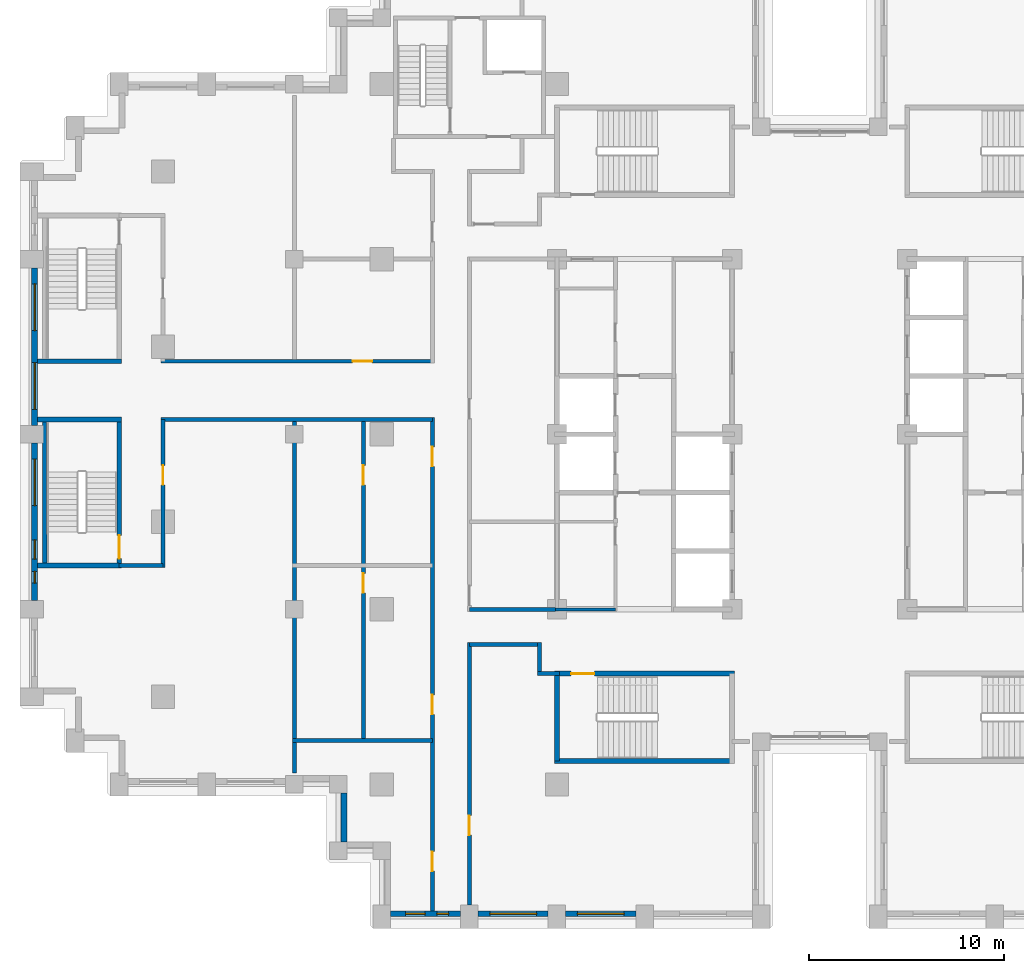
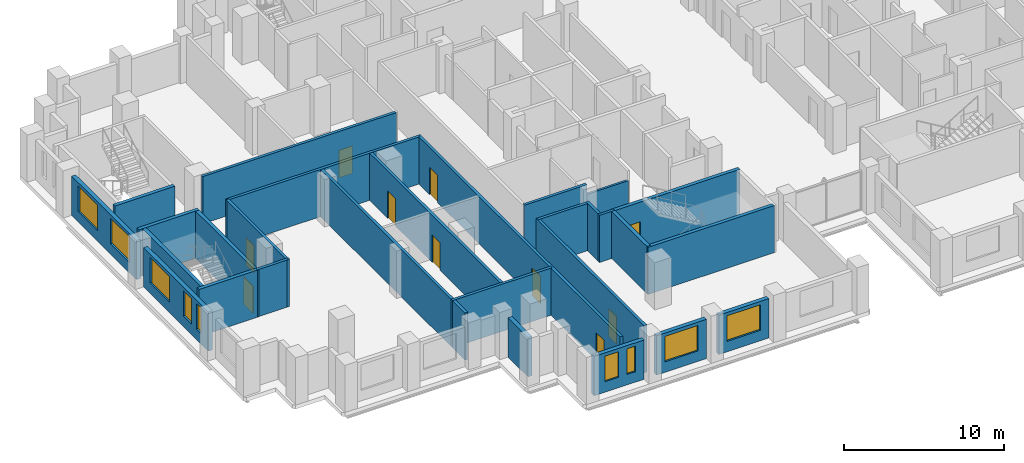
# One storey, part 6 of 16: 28 walls, 10 doors, 9 windows, 19 openings.
"""IFC4 building model written with IfcOpenShell, lengths in metres."""

from ifc_helpers import new_model, si_unit, direction, frame, frame_2d, origin, place, context, subcontext, project, spatial, rectangle, extrude, material, layer, layer_set, type_object, element, fill, save


model = new_model("IFC4")

# Units and contexts
model_context = context("Model", 3, precision=1e-05, world=origin(), true_north=direction((0.0, 1.0)))
body_context = subcontext(model_context, "Body", "Model", "MODEL_VIEW")
ifc_project = project(units=[si_unit("LENGTHUNIT", "METRE"), si_unit("AREAUNIT", "SQUARE_METRE"), si_unit("VOLUMEUNIT", "CUBIC_METRE"), si_unit("PLANEANGLEUNIT", "RADIAN"), si_unit("MASSUNIT", "GRAM", prefix="KILO")], contexts=[model_context])

# Site, building, storey
site_placement = place(None, origin())
site = spatial("IfcSite", under=ifc_project, at=site_placement, CompositionType="ELEMENT")
building_placement = place(site_placement, origin())
building = spatial("IfcBuilding", under=site, at=building_placement, Name="Corbelhall Arena Tower", CompositionType="ELEMENT")
storey_placement = place(building_placement, frame((0.0, 0.0, 116.0)))
storey = spatial("IfcBuildingStorey", under=building, at=storey_placement, Name="L21", CompositionType="ELEMENT", Elevation=116.0)

# Wall, openings, windows
ifc_material_1 = material(Name="Precast concrete C40/50 with granite facing", Category="masonry")
ifc_layer_1 = layer(ifc_material_1, 0.300048828125)
ifc_layer_set_1 = layer_set([ifc_layer_1], Name="EV-IW1 Infill panel 300")
wall_type_1 = type_object("IfcWallType", Name="EV-IW1 Infill panel 300", PredefinedType="SOLIDWALL", material=ifc_layer_set_1)
wall_1_placement = place(storey_placement, frame((-40.35009765625, 8.550048828125, 0.0), z_axis=(0.0, 0.0, 1.0), x_axis=(0.0, -1.0, 0.0)))
wall_1 = element("IfcWall", 1, at=wall_1_placement, inside=storey, type_object=wall_type_1, Name="Infill panel IW1", PredefinedType="SOLIDWALL", context=body_context, shape_type="SweptSolid", body=[
    extrude(rectangle(XDim=8.10009765625, YDim=0.300048828125, at=frame_2d((4.050048828125, 0.0))), origin(), (0.0, 0.0, 1.0), 2.99951171875),
])
opening_1_placement = place(wall_1_placement, frame((0.824951171875, 0.0, 0.800048828125)))
opening_1 = element("IfcOpeningElement", 2, at=opening_1_placement, cuts=wall_1, Name="Opening WN1", PredefinedType="OPENING", context=body_context, shape_type="SweptSolid", body=[
    extrude(rectangle(XDim=2.39990234375, YDim=1.949951171875, at=frame_2d((1.199951171875, 0.97509765625))), frame((0.0, 0.14990234375, 0.0), z_axis=(0.0, -1.0, 0.0), x_axis=(1.0, 0.0, 0.0)), (0.0, 0.0, 1.0), 0.300048828125),
])
opening_2_placement = place(wall_1_placement, frame((4.875, 0.0, 0.800048828125)))
opening_2 = element("IfcOpeningElement", 3, at=opening_2_placement, cuts=wall_1, Name="Opening WN1", PredefinedType="OPENING", context=body_context, shape_type="SweptSolid", body=[
    extrude(rectangle(XDim=2.39990234375, YDim=1.949951171875, at=frame_2d((1.199951171875, 0.97509765625))), frame((0.0, 0.14990234375, 0.0), z_axis=(0.0, -1.0, 0.0), x_axis=(1.0, 0.0, 0.0)), (0.0, 0.0, 1.0), 0.300048828125),
])
ifc_material_2 = material(Name="Aluminium black anodised", Category="aluminium")
window_type_1 = type_object("IfcWindowType", Name="EV-WN1 Office window", PartitioningType="SINGLE_PANEL", PredefinedType="WINDOW", material=ifc_material_2)
window_1_placement = place(opening_1_placement, origin())
window_1 = element("IfcWindow", 4, at=window_1_placement, inside=storey, type_object=window_type_1, Name="Window WN1", OverallHeight=1.949951171875, OverallWidth=2.39990234375, PartitioningType="SINGLE_PANEL", PredefinedType="WINDOW", context=body_context, shape_type="SweptSolid", body=[
    extrude(rectangle(XDim=2.39990234375, YDim=1.949951171875, at=frame_2d((1.199951171875, 0.97509765625))), frame((0.0, 0.030029296875, 0.0), z_axis=(0.0, -1.0, 0.0), x_axis=(1.0, 0.0, 0.0)), (0.0, 0.0, 1.0), 0.06005859375),
])
fill(opening_1, window_1)
window_2_placement = place(opening_2_placement, origin())
window_2 = element("IfcWindow", 5, at=window_2_placement, inside=storey, type_object=window_type_1, Name="Window WN1", OverallHeight=1.949951171875, OverallWidth=2.39990234375, PartitioningType="SINGLE_PANEL", PredefinedType="WINDOW", context=body_context, shape_type="SweptSolid", body=[
    extrude(rectangle(XDim=2.39990234375, YDim=1.949951171875, at=frame_2d((1.199951171875, 0.97509765625))), frame((0.0, 0.030029296875, 0.0), z_axis=(0.0, -1.0, 0.0), x_axis=(1.0, 0.0, 0.0)), (0.0, 0.0, 1.0), 0.06005859375),
])
fill(opening_2, window_2)

wall_2_placement = place(storey_placement, frame((-40.35009765625, -0.449951171875, 0.0), z_axis=(0.0, 0.0, 1.0), x_axis=(0.0, -1.0, 0.0)))
wall_2 = element("IfcWall", 6, at=wall_2_placement, inside=storey, type_object=wall_type_1, Name="Infill panel IW1", PredefinedType="SOLIDWALL", context=body_context, shape_type="SweptSolid", body=[
    extrude(rectangle(XDim=8.10009765625, YDim=0.300048828125, at=frame_2d((4.050048828125, 0.0))), origin(), (0.0, 0.0, 1.0), 2.99951171875),
])
opening_3_placement = place(wall_2_placement, frame((0.824951171875, 0.0, 0.800048828125)))
opening_3 = element("IfcOpeningElement", 7, at=opening_3_placement, cuts=wall_2, Name="Opening WN1", PredefinedType="OPENING", context=body_context, shape_type="SweptSolid", body=[
    extrude(rectangle(XDim=2.39990234375, YDim=1.949951171875, at=frame_2d((1.199951171875, 0.97509765625))), frame((0.0, 0.14990234375, 0.0), z_axis=(0.0, -1.0, 0.0), x_axis=(1.0, 0.0, 0.0)), (0.0, 0.0, 1.0), 0.300048828125),
])
opening_4_placement = place(wall_2_placement, frame((4.97509765625, 0.0, 0.800048828125)))
opening_4 = element("IfcOpeningElement", 8, at=opening_4_placement, cuts=wall_2, Name="Opening WN6", PredefinedType="OPENING", context=body_context, shape_type="SweptSolid", body=[
    extrude(rectangle(XDim=1.0, YDim=1.949951171875, at=frame_2d((0.5, 0.97509765625))), frame((0.0, 0.14990234375, 0.0), z_axis=(0.0, -1.0, 0.0), x_axis=(1.0, 0.0, 0.0)), (0.0, 0.0, 1.0), 0.300048828125),
])
opening_5_placement = place(wall_2_placement, frame((6.60009765625, 0.0, 0.800048828125)))
opening_5 = element("IfcOpeningElement", 9, at=opening_5_placement, cuts=wall_2, Name="Opening WN5", PredefinedType="OPENING", context=body_context, shape_type="SweptSolid", body=[
    extrude(rectangle(XDim=0.60009765625, YDim=1.949951171875, at=frame_2d((0.300048828125, 0.97509765625))), frame((0.0, 0.14990234375, 0.0), z_axis=(0.0, -1.0, 0.0), x_axis=(1.0, 0.0, 0.0)), (0.0, 0.0, 1.0), 0.300048828125),
])
window_3_placement = place(opening_3_placement, origin())
window_3 = element("IfcWindow", 10, at=window_3_placement, inside=storey, type_object=window_type_1, Name="Window WN1", OverallHeight=1.949951171875, OverallWidth=2.39990234375, PartitioningType="SINGLE_PANEL", PredefinedType="WINDOW", context=body_context, shape_type="SweptSolid", body=[
    extrude(rectangle(XDim=2.39990234375, YDim=1.949951171875, at=frame_2d((1.199951171875, 0.97509765625))), frame((0.0, 0.030029296875, 0.0), z_axis=(0.0, -1.0, 0.0), x_axis=(1.0, 0.0, 0.0)), (0.0, 0.0, 1.0), 0.06005859375),
])
fill(opening_3, window_3)
window_type_2 = type_object("IfcWindowType", Name="EV-WN5 Office window 600", PartitioningType="SINGLE_PANEL", PredefinedType="WINDOW", material=ifc_material_2)
window_4_placement = place(opening_5_placement, origin())
window_4 = element("IfcWindow", 11, at=window_4_placement, inside=storey, type_object=window_type_2, Name="Window WN5", OverallHeight=1.949951171875, OverallWidth=0.60009765625, PartitioningType="SINGLE_PANEL", PredefinedType="WINDOW", context=body_context, shape_type="SweptSolid", body=[
    extrude(rectangle(XDim=0.60009765625, YDim=1.949951171875, at=frame_2d((0.300048828125, 0.97509765625))), frame((0.0, 0.030029296875, 0.0), z_axis=(0.0, -1.0, 0.0), x_axis=(1.0, 0.0, 0.0)), (0.0, 0.0, 1.0), 0.06005859375),
])
fill(opening_5, window_4)
window_type_3 = type_object("IfcWindowType", Name="EV-WN6 Office window 1000", PartitioningType="SINGLE_PANEL", PredefinedType="WINDOW", material=ifc_material_2)
window_5_placement = place(opening_4_placement, origin())
window_5 = element("IfcWindow", 12, at=window_5_placement, inside=storey, type_object=window_type_3, Name="Window WN6", OverallHeight=1.949951171875, OverallWidth=1.0, PartitioningType="SINGLE_PANEL", PredefinedType="WINDOW", context=body_context, shape_type="SweptSolid", body=[
    extrude(rectangle(XDim=1.0, YDim=1.949951171875, at=frame_2d((0.5, 0.97509765625))), frame((0.0, 0.030029296875, 0.0), z_axis=(0.0, -1.0, 0.0), x_axis=(1.0, 0.0, 0.0)), (0.0, 0.0, 1.0), 0.06005859375),
])
fill(opening_4, window_5)

# Wall
wall_3_placement = place(storey_placement, frame((-24.449951171875, -18.449951171875, 0.0), z_axis=(0.0, 0.0, 1.0), x_axis=(0.0, -1.0, 0.0)))
element("IfcWall", 13, at=wall_3_placement, inside=storey, type_object=wall_type_1, Name="Infill panel IW1", PredefinedType="SOLIDWALL", context=body_context, shape_type="SweptSolid", body=[
    extrude(rectangle(XDim=2.5, YDim=0.300048828125, at=frame_2d((1.25, 0.0))), origin(), (0.0, 0.0, 1.0), 2.99951171875),
])

# Wall, openings, windows
wall_4_placement = place(storey_placement, frame((-22.050048828125, -24.64990234375, 0.0), z_axis=(0.0, 0.0, 1.0), x_axis=(1.0, 0.0, 0.0)))
wall_4 = element("IfcWall", 14, at=wall_4_placement, inside=storey, type_object=wall_type_1, Name="Infill panel IW1", PredefinedType="SOLIDWALL", context=body_context, shape_type="SweptSolid", body=[
    extrude(rectangle(XDim=3.60009765625, YDim=0.300048828125, at=frame_2d((1.800048828125, 0.0))), origin(), (0.0, 0.0, 1.0), 2.99951171875),
])
opening_6_placement = place(wall_4_placement, frame((0.77490234375, 0.0, 0.800048828125)))
opening_6 = element("IfcOpeningElement", 15, at=opening_6_placement, cuts=wall_4, Name="Opening WN6", PredefinedType="OPENING", context=body_context, shape_type="SweptSolid", body=[
    extrude(rectangle(XDim=1.0, YDim=1.949951171875, at=frame_2d((0.5, 0.97509765625))), frame((0.0, 0.14990234375, 0.0), z_axis=(0.0, -1.0, 0.0), x_axis=(1.0, 0.0, 0.0)), (0.0, 0.0, 1.0), 0.300048828125),
])
opening_7_placement = place(wall_4_placement, frame((2.375, 0.0, 0.800048828125)))
opening_7 = element("IfcOpeningElement", 16, at=opening_7_placement, cuts=wall_4, Name="Opening WN5", PredefinedType="OPENING", context=body_context, shape_type="SweptSolid", body=[
    extrude(rectangle(XDim=0.60009765625, YDim=1.949951171875, at=frame_2d((0.300048828125, 0.97509765625))), frame((0.0, 0.14990234375, 0.0), z_axis=(0.0, -1.0, 0.0), x_axis=(1.0, 0.0, 0.0)), (0.0, 0.0, 1.0), 0.300048828125),
])
window_6_placement = place(opening_7_placement, origin())
window_6 = element("IfcWindow", 17, at=window_6_placement, inside=storey, type_object=window_type_2, Name="Window WN5", OverallHeight=1.949951171875, OverallWidth=0.60009765625, PartitioningType="SINGLE_PANEL", PredefinedType="WINDOW", context=body_context, shape_type="SweptSolid", body=[
    extrude(rectangle(XDim=0.60009765625, YDim=1.949951171875, at=frame_2d((0.300048828125, 0.97509765625))), frame((0.0, 0.030029296875, 0.0), z_axis=(0.0, -1.0, 0.0), x_axis=(1.0, 0.0, 0.0)), (0.0, 0.0, 1.0), 0.06005859375),
])
fill(opening_7, window_6)
window_7_placement = place(opening_6_placement, origin())
window_7 = element("IfcWindow", 18, at=window_7_placement, inside=storey, type_object=window_type_3, Name="Window WN6", OverallHeight=1.949951171875, OverallWidth=1.0, PartitioningType="SINGLE_PANEL", PredefinedType="WINDOW", context=body_context, shape_type="SweptSolid", body=[
    extrude(rectangle(XDim=1.0, YDim=1.949951171875, at=frame_2d((0.5, 0.97509765625))), frame((0.0, 0.030029296875, 0.0), z_axis=(0.0, -1.0, 0.0), x_axis=(1.0, 0.0, 0.0)), (0.0, 0.0, 1.0), 0.06005859375),
])
fill(opening_6, window_7)

# Wall, opening, window
wall_5_placement = place(storey_placement, frame((-17.550048828125, -24.64990234375, 0.0), z_axis=(0.0, 0.0, 1.0), x_axis=(1.0, 0.0, 0.0)))
wall_5 = element("IfcWall", 19, at=wall_5_placement, inside=storey, type_object=wall_type_1, Name="Infill panel IW1", PredefinedType="SOLIDWALL", context=body_context, shape_type="SweptSolid", body=[
    extrude(rectangle(XDim=3.60009765625, YDim=0.300048828125, at=frame_2d((1.800048828125, 0.0))), origin(), (0.0, 0.0, 1.0), 2.99951171875),
])
opening_8_placement = place(wall_5_placement, frame((0.60009765625, 0.0, 0.800048828125)))
opening_8 = element("IfcOpeningElement", 20, at=opening_8_placement, cuts=wall_5, Name="Opening WN1", PredefinedType="OPENING", context=body_context, shape_type="SweptSolid", body=[
    extrude(rectangle(XDim=2.39990234375, YDim=1.949951171875, at=frame_2d((1.199951171875, 0.97509765625))), frame((0.0, 0.14990234375, 0.0), z_axis=(0.0, -1.0, 0.0), x_axis=(1.0, 0.0, 0.0)), (0.0, 0.0, 1.0), 0.300048828125),
])
window_8_placement = place(opening_8_placement, origin())
window_8 = element("IfcWindow", 21, at=window_8_placement, inside=storey, type_object=window_type_1, Name="Window WN1", OverallHeight=1.949951171875, OverallWidth=2.39990234375, PartitioningType="SINGLE_PANEL", PredefinedType="WINDOW", context=body_context, shape_type="SweptSolid", body=[
    extrude(rectangle(XDim=2.39990234375, YDim=1.949951171875, at=frame_2d((1.199951171875, 0.97509765625))), frame((0.0, 0.030029296875, 0.0), z_axis=(0.0, -1.0, 0.0), x_axis=(1.0, 0.0, 0.0)), (0.0, 0.0, 1.0), 0.06005859375),
])
fill(opening_8, window_8)

wall_6_placement = place(storey_placement, frame((-13.050048828125, -24.64990234375, 0.0), z_axis=(0.0, 0.0, 1.0), x_axis=(1.0, 0.0, 0.0)))
wall_6 = element("IfcWall", 22, at=wall_6_placement, inside=storey, type_object=wall_type_1, Name="Infill panel IW1", PredefinedType="SOLIDWALL", context=body_context, shape_type="SweptSolid", body=[
    extrude(rectangle(XDim=3.60009765625, YDim=0.300048828125, at=frame_2d((1.800048828125, 0.0))), origin(), (0.0, 0.0, 1.0), 2.99951171875),
])
opening_9_placement = place(wall_6_placement, frame((0.60009765625, 0.0, 0.800048828125)))
opening_9 = element("IfcOpeningElement", 23, at=opening_9_placement, cuts=wall_6, Name="Opening WN1", PredefinedType="OPENING", context=body_context, shape_type="SweptSolid", body=[
    extrude(rectangle(XDim=2.39990234375, YDim=1.949951171875, at=frame_2d((1.199951171875, 0.97509765625))), frame((0.0, 0.14990234375, 0.0), z_axis=(0.0, -1.0, 0.0), x_axis=(1.0, 0.0, 0.0)), (0.0, 0.0, 1.0), 0.300048828125),
])
window_9_placement = place(opening_9_placement, origin())
window_9 = element("IfcWindow", 24, at=window_9_placement, inside=storey, type_object=window_type_1, Name="Window WN1", OverallHeight=1.949951171875, OverallWidth=2.39990234375, PartitioningType="SINGLE_PANEL", PredefinedType="WINDOW", context=body_context, shape_type="SweptSolid", body=[
    extrude(rectangle(XDim=2.39990234375, YDim=1.949951171875, at=frame_2d((1.199951171875, 0.97509765625))), frame((0.0, 0.030029296875, 0.0), z_axis=(0.0, -1.0, 0.0), x_axis=(1.0, 0.0, 0.0)), (0.0, 0.0, 1.0), 0.06005859375),
])
fill(opening_9, window_9)

# Wall, opening, door
ifc_material_3 = material(Name="Gypsum board on steel stud, acoustic", Category="steel")
ifc_layer_2 = layer(ifc_material_3, 0.199951171875)
ifc_layer_set_2 = layer_set([ifc_layer_2], Name="IN-W-DM200")
wall_type_2 = type_object("IfcWallType", Name="IN-W-DM200", PredefinedType="PARTITIONING", material=ifc_layer_set_2)
wall_7_placement = place(storey_placement, frame((-33.85009765625, 3.75, 0.0), z_axis=(0.0, 0.0, 1.0), x_axis=(1.0, 0.0, 0.0)))
wall_7 = element("IfcWall", 25, at=wall_7_placement, inside=storey, type_object=wall_type_2, Name="Partition 002", PredefinedType="PARTITIONING", context=body_context, shape_type="SweptSolid", body=[
    extrude(rectangle(XDim=13.9501953125, YDim=0.199951171875, at=frame_2d((6.97509765625, 0.0))), origin(), (0.0, 0.0, 1.0), 3.599609375),
])
opening_10_placement = place(wall_7_placement, frame((9.85009765625, 0.0, 0.0)))
opening_10 = element("IfcOpeningElement", 26, at=opening_10_placement, cuts=wall_7, Name="Opening 05031", PredefinedType="OPENING", context=body_context, shape_type="SweptSolid", body=[
    extrude(rectangle(XDim=1.0, YDim=2.10009765625, at=frame_2d((0.5, 1.050048828125))), frame((0.0, 0.10009765625, 0.0), z_axis=(0.0, -1.0, 0.0), x_axis=(1.0, 0.0, 0.0)), (0.0, 0.0, 1.0), 0.199951171875),
])
ifc_material_4 = material(Name="Steel door set", Category="steel")
door_type_1 = type_object("IfcDoorType", Name="IN-D-SW100", OperationType="NOTDEFINED", PredefinedType="DOOR", material=ifc_material_4)
door_1_placement = place(opening_10_placement, origin())
door_1 = element("IfcDoor", 27, at=door_1_placement, inside=storey, type_object=door_type_1, Name="Door 031", OperationType="SINGLE_SWING_RIGHT", OverallHeight=2.10009765625, OverallWidth=1.0, PredefinedType="DOOR", context=body_context, shape_type="SweptSolid", body=[
    extrude(rectangle(XDim=1.0, YDim=2.10009765625, at=frame_2d((0.5, 1.050048828125))), frame((0.0, 0.02490234375, 0.0), z_axis=(0.0, -1.0, 0.0), x_axis=(1.0, 0.0, 0.0)), (0.0, 0.0, 1.0), 0.050048828125),
])
fill(opening_10, door_1)

# Wall
wall_8_placement = place(storey_placement, frame((-33.75, -6.75, 0.0), z_axis=(0.0, 0.0, 1.0), x_axis=(-1.0, 0.0, 0.0)))
element("IfcWall", 28, at=wall_8_placement, inside=storey, type_object=wall_type_2, Name="Partition 003", PredefinedType="PARTITIONING", context=body_context, shape_type="SweptSolid", body=[
    extrude(rectangle(XDim=2.25, YDim=0.199951171875, at=frame_2d((1.125, 0.0))), origin(), (0.0, 0.0, 1.0), 3.599609375),
])

# Wall, opening, door
wall_9_placement = place(storey_placement, frame((-33.75, 0.75, 0.0), z_axis=(0.0, 0.0, 1.0), x_axis=(0.0, -1.0, 0.0)))
wall_9 = element("IfcWall", 29, at=wall_9_placement, inside=storey, type_object=wall_type_2, Name="Partition 004", PredefinedType="PARTITIONING", context=body_context, shape_type="SweptSolid", body=[
    extrude(rectangle(XDim=7.60009765625, YDim=0.199951171875, at=frame_2d((3.800048828125, 0.0))), origin(), (0.0, 0.0, 1.0), 3.599609375),
])
opening_11_placement = place(wall_9_placement, frame((2.35009765625, 0.0, 0.0)))
opening_11 = element("IfcOpeningElement", 30, at=opening_11_placement, cuts=wall_9, Name="Opening 05046", PredefinedType="OPENING", context=body_context, shape_type="SweptSolid", body=[
    extrude(rectangle(XDim=1.0, YDim=2.10009765625, at=frame_2d((0.5, 1.050048828125))), frame((0.0, 0.10009765625, 0.0), z_axis=(0.0, -1.0, 0.0), x_axis=(1.0, 0.0, 0.0)), (0.0, 0.0, 1.0), 0.199951171875),
])
door_2_placement = place(opening_11_placement, origin())
door_2 = element("IfcDoor", 31, at=door_2_placement, inside=storey, type_object=door_type_1, Name="Door 046", OperationType="SINGLE_SWING_LEFT", OverallHeight=2.10009765625, OverallWidth=1.0, PredefinedType="DOOR", context=body_context, shape_type="SweptSolid", body=[
    extrude(rectangle(XDim=1.0, YDim=2.10009765625, at=frame_2d((0.5, 1.050048828125))), frame((0.0, 0.02490234375, 0.0), z_axis=(0.0, -1.0, 0.0), x_axis=(1.0, 0.0, 0.0)), (0.0, 0.0, 1.0), 0.050048828125),
])
fill(opening_11, door_2)

# Walls
wall_10_placement = place(storey_placement, frame((-27.10009765625, -15.75, 0.0), z_axis=(0.0, 0.0, 1.0), x_axis=(1.0, 0.0, 0.0)))
element("IfcWall", 32, at=wall_10_placement, inside=storey, type_object=wall_type_2, Name="Partition 006", PredefinedType="PARTITIONING", context=body_context, shape_type="SweptSolid", body=[
    extrude(rectangle(XDim=7.2001953125, YDim=0.199951171875, at=frame_2d((3.60009765625, 0.0))), origin(), (0.0, 0.0, 1.0), 3.599609375),
])
wall_11_placement = place(storey_placement, frame((-27.0, -17.39990234375, 0.0), z_axis=(0.0, 0.0, 1.0), x_axis=(0.0, 1.0, 0.0)))
element("IfcWall", 33, at=wall_11_placement, inside=storey, type_object=wall_type_2, Name="Partition 009", PredefinedType="PARTITIONING", context=body_context, shape_type="SweptSolid", body=[
    extrude(rectangle(XDim=18.14990234375, YDim=0.199951171875, at=frame_2d((9.074951171875, 0.0))), origin(), (0.0, 0.0, 1.0), 3.599609375),
])
wall_12_placement = place(storey_placement, frame((-19.89990234375, 0.75, 0.0), z_axis=(0.0, 0.0, 1.0), x_axis=(-1.0, 0.0, 0.0)))
element("IfcWall", 34, at=wall_12_placement, inside=storey, type_object=wall_type_2, Name="Partition 011", PredefinedType="PARTITIONING", context=body_context, shape_type="SweptSolid", body=[
    extrude(rectangle(XDim=13.9501953125, YDim=0.199951171875, at=frame_2d((6.97509765625, 0.0))), origin(), (0.0, 0.0, 1.0), 3.599609375),
])

# Wall, openings, doors
wall_13_placement = place(storey_placement, frame((-23.449951171875, -15.75, 0.0), z_axis=(0.0, 0.0, 1.0), x_axis=(0.0, 1.0, 0.0)))
wall_13 = element("IfcWall", 35, at=wall_13_placement, inside=storey, type_object=wall_type_2, Name="Partition 012", PredefinedType="PARTITIONING", context=body_context, shape_type="SweptSolid", body=[
    extrude(rectangle(XDim=16.5, YDim=0.199951171875, at=frame_2d((8.25, 0.0))), origin(), (0.0, 0.0, 1.0), 3.599609375),
])
opening_12_placement = place(wall_13_placement, frame((7.60009765625, 0.0, 0.0)))
opening_12 = element("IfcOpeningElement", 36, at=opening_12_placement, cuts=wall_13, Name="Opening 05035", PredefinedType="OPENING", context=body_context, shape_type="SweptSolid", body=[
    extrude(rectangle(XDim=1.0, YDim=2.10009765625, at=frame_2d((0.5, 1.050048828125))), frame((0.0, 0.10009765625, 0.0), z_axis=(0.0, -1.0, 0.0), x_axis=(1.0, 0.0, 0.0)), (0.0, 0.0, 1.0), 0.199951171875),
])
opening_13_placement = place(wall_13_placement, frame((13.14990234375, 0.0, 0.0)))
opening_13 = element("IfcOpeningElement", 37, at=opening_13_placement, cuts=wall_13, Name="Opening 05037", PredefinedType="OPENING", context=body_context, shape_type="SweptSolid", body=[
    extrude(rectangle(XDim=1.0, YDim=2.10009765625, at=frame_2d((0.5, 1.050048828125))), frame((0.0, 0.10009765625, 0.0), z_axis=(0.0, -1.0, 0.0), x_axis=(1.0, 0.0, 0.0)), (0.0, 0.0, 1.0), 0.199951171875),
])
door_3_placement = place(opening_12_placement, origin())
door_3 = element("IfcDoor", 38, at=door_3_placement, inside=storey, type_object=door_type_1, Name="Door 035", OperationType="SINGLE_SWING_RIGHT", OverallHeight=2.10009765625, OverallWidth=1.0, PredefinedType="DOOR", context=body_context, shape_type="SweptSolid", body=[
    extrude(rectangle(XDim=1.0, YDim=2.10009765625, at=frame_2d((0.5, 1.050048828125))), frame((0.0, 0.02490234375, 0.0), z_axis=(0.0, -1.0, 0.0), x_axis=(1.0, 0.0, 0.0)), (0.0, 0.0, 1.0), 0.050048828125),
])
fill(opening_12, door_3)
door_4_placement = place(opening_13_placement, origin())
door_4 = element("IfcDoor", 39, at=door_4_placement, inside=storey, type_object=door_type_1, Name="Door 037", OperationType="SINGLE_SWING_RIGHT", OverallHeight=2.10009765625, OverallWidth=1.0, PredefinedType="DOOR", context=body_context, shape_type="SweptSolid", body=[
    extrude(rectangle(XDim=1.0, YDim=2.10009765625, at=frame_2d((0.5, 1.050048828125))), frame((0.0, 0.02490234375, 0.0), z_axis=(0.0, -1.0, 0.0), x_axis=(1.0, 0.0, 0.0)), (0.0, 0.0, 1.0), 0.050048828125),
])
fill(opening_13, door_4)

wall_14_placement = place(storey_placement, frame((-19.89990234375, -24.5, 0.0), z_axis=(0.0, 0.0, 1.0), x_axis=(0.0, 1.0, 0.0)))
wall_14 = element("IfcWall", 40, at=wall_14_placement, inside=storey, type_object=wall_type_2, Name="Partition 014", PredefinedType="PARTITIONING", context=body_context, shape_type="SweptSolid", body=[
    extrude(rectangle(XDim=25.35009765625, YDim=0.199951171875, at=frame_2d((12.675048828125, 0.0))), origin(), (0.0, 0.0, 1.0), 3.599609375),
])
opening_14_placement = place(wall_14_placement, frame((2.050048828125, 0.0, 0.0)))
opening_14 = element("IfcOpeningElement", 41, at=opening_14_placement, cuts=wall_14, Name="Opening 05033", PredefinedType="OPENING", context=body_context, shape_type="SweptSolid", body=[
    extrude(rectangle(XDim=1.0, YDim=2.10009765625, at=frame_2d((0.5, 1.050048828125))), frame((0.0, 0.10009765625, 0.0), z_axis=(0.0, -1.0, 0.0), x_axis=(1.0, 0.0, 0.0)), (0.0, 0.0, 1.0), 0.199951171875),
])
opening_15_placement = place(wall_14_placement, frame((10.10009765625, 0.0, 0.0)))
opening_15 = element("IfcOpeningElement", 42, at=opening_15_placement, cuts=wall_14, Name="Opening 05034", PredefinedType="OPENING", context=body_context, shape_type="SweptSolid", body=[
    extrude(rectangle(XDim=1.0, YDim=2.10009765625, at=frame_2d((0.5, 1.050048828125))), frame((0.0, 0.10009765625, 0.0), z_axis=(0.0, -1.0, 0.0), x_axis=(1.0, 0.0, 0.0)), (0.0, 0.0, 1.0), 0.199951171875),
])
opening_16_placement = place(wall_14_placement, frame((22.85009765625, 0.0, 0.0)))
opening_16 = element("IfcOpeningElement", 43, at=opening_16_placement, cuts=wall_14, Name="Opening 05036", PredefinedType="OPENING", context=body_context, shape_type="SweptSolid", body=[
    extrude(rectangle(XDim=1.0, YDim=2.10009765625, at=frame_2d((0.5, 1.050048828125))), frame((0.0, 0.10009765625, 0.0), z_axis=(0.0, -1.0, 0.0), x_axis=(1.0, 0.0, 0.0)), (0.0, 0.0, 1.0), 0.199951171875),
])
door_5_placement = place(opening_14_placement, origin())
door_5 = element("IfcDoor", 44, at=door_5_placement, inside=storey, type_object=door_type_1, Name="Door 033", OperationType="SINGLE_SWING_RIGHT", OverallHeight=2.10009765625, OverallWidth=1.0, PredefinedType="DOOR", context=body_context, shape_type="SweptSolid", body=[
    extrude(rectangle(XDim=1.0, YDim=2.10009765625, at=frame_2d((0.5, 1.050048828125))), frame((0.0, 0.02490234375, 0.0), z_axis=(0.0, -1.0, 0.0), x_axis=(1.0, 0.0, 0.0)), (0.0, 0.0, 1.0), 0.050048828125),
])
fill(opening_14, door_5)
door_6_placement = place(opening_15_placement, origin())
door_6 = element("IfcDoor", 45, at=door_6_placement, inside=storey, type_object=door_type_1, Name="Door 034", OperationType="SINGLE_SWING_LEFT", OverallHeight=2.10009765625, OverallWidth=1.0, PredefinedType="DOOR", context=body_context, shape_type="SweptSolid", body=[
    extrude(rectangle(XDim=1.0, YDim=2.10009765625, at=frame_2d((0.5, 1.050048828125))), frame((0.0, 0.02490234375, 0.0), z_axis=(0.0, -1.0, 0.0), x_axis=(1.0, 0.0, 0.0)), (0.0, 0.0, 1.0), 0.050048828125),
])
fill(opening_15, door_6)
door_7_placement = place(opening_16_placement, origin())
door_7 = element("IfcDoor", 46, at=door_7_placement, inside=storey, type_object=door_type_1, Name="Door 036", OperationType="SINGLE_SWING_LEFT", OverallHeight=2.10009765625, OverallWidth=1.0, PredefinedType="DOOR", context=body_context, shape_type="SweptSolid", body=[
    extrude(rectangle(XDim=1.0, YDim=2.10009765625, at=frame_2d((0.5, 1.050048828125))), frame((0.0, 0.02490234375, 0.0), z_axis=(0.0, -1.0, 0.0), x_axis=(1.0, 0.0, 0.0)), (0.0, 0.0, 1.0), 0.050048828125),
])
fill(opening_16, door_7)

# Wall, opening, door
wall_15_placement = place(storey_placement, frame((-18.0, -10.699951171875, 0.0), z_axis=(0.0, 0.0, 1.0), x_axis=(0.0, -1.0, 0.0)))
wall_15 = element("IfcWall", 47, at=wall_15_placement, inside=storey, type_object=wall_type_2, Name="Partition 017", PredefinedType="PARTITIONING", context=body_context, shape_type="SweptSolid", body=[
    extrude(rectangle(XDim=13.5, YDim=0.199951171875, at=frame_2d((6.75, 0.0))), origin(), (0.0, 0.0, 1.0), 3.599609375),
])
opening_17_placement = place(wall_15_placement, frame((8.89990234375, 0.0, 0.0)))
opening_17 = element("IfcOpeningElement", 48, at=opening_17_placement, cuts=wall_15, Name="Opening 05029", PredefinedType="OPENING", context=body_context, shape_type="SweptSolid", body=[
    extrude(rectangle(XDim=1.0, YDim=2.10009765625, at=frame_2d((0.5, 1.050048828125))), frame((0.0, 0.10009765625, 0.0), z_axis=(0.0, -1.0, 0.0), x_axis=(1.0, 0.0, 0.0)), (0.0, 0.0, 1.0), 0.199951171875),
])
door_8_placement = place(opening_17_placement, origin())
door_8 = element("IfcDoor", 49, at=door_8_placement, inside=storey, type_object=door_type_1, Name="Door 029", OperationType="SINGLE_SWING_RIGHT", OverallHeight=2.10009765625, OverallWidth=1.0, PredefinedType="DOOR", context=body_context, shape_type="SweptSolid", body=[
    extrude(rectangle(XDim=1.0, YDim=2.10009765625, at=frame_2d((0.5, 1.050048828125))), frame((0.0, 0.02490234375, 0.0), z_axis=(0.0, -1.0, 0.0), x_axis=(1.0, 0.0, 0.0)), (0.0, 0.0, 1.0), 0.050048828125),
])
fill(opening_17, door_8)

# Walls
wall_16_placement = place(storey_placement, frame((-18.0, -9.0, 0.0), z_axis=(0.0, 0.0, 1.0), x_axis=(1.0, 0.0, 0.0)))
element("IfcWall", 50, at=wall_16_placement, inside=storey, type_object=wall_type_2, Name="Partition 018", PredefinedType="PARTITIONING", context=body_context, shape_type="SweptSolid", body=[
    extrude(rectangle(XDim=4.5, YDim=0.199951171875, at=frame_2d((2.25, 0.0))), origin(), (0.0, 0.0, 1.0), 3.599609375),
])
wall_17_placement = place(storey_placement, frame((-14.39990234375, -12.300048828125, 0.0), z_axis=(0.0, 0.0, 1.0), x_axis=(0.0, 1.0, 0.0)))
element("IfcWall", 51, at=wall_17_placement, inside=storey, type_object=wall_type_2, Name="Partition 027", PredefinedType="PARTITIONING", context=body_context, shape_type="SweptSolid", body=[
    extrude(rectangle(XDim=1.60009765625, YDim=0.199951171875, at=frame_2d((0.800048828125, 0.0))), origin(), (0.0, 0.0, 1.0), 3.599609375),
])
wall_18_placement = place(storey_placement, frame((-14.39990234375, -10.800048828125, 0.0), z_axis=(0.0, 0.0, 1.0), x_axis=(-1.0, 0.0, 0.0)))
element("IfcWall", 52, at=wall_18_placement, inside=storey, type_object=wall_type_2, Name="Partition 028", PredefinedType="PARTITIONING", context=body_context, shape_type="SweptSolid", body=[
    extrude(rectangle(XDim=3.60009765625, YDim=0.199951171875, at=frame_2d((1.800048828125, 0.0))), origin(), (0.0, 0.0, 1.0), 3.599609375),
])
wall_19_placement = place(storey_placement, frame((-13.375, -12.300048828125, 0.0), z_axis=(0.0, 0.0, 1.0), x_axis=(-1.0, 0.0, 0.0)))
element("IfcWall", 53, at=wall_19_placement, inside=storey, type_object=wall_type_2, Name="Partition 031", PredefinedType="PARTITIONING", context=body_context, shape_type="SweptSolid", body=[
    extrude(rectangle(XDim=1.125, YDim=0.199951171875, at=frame_2d((0.5625, 0.0))), origin(), (0.0, 0.0, 1.0), 3.599609375),
])
ifc_material_5 = material(Name="Concrete C40/50", Category="concrete")
ifc_layer_3 = layer(ifc_material_5, 0.25)
ifc_layer_set_3 = layer_set([ifc_layer_3], Name="IN-W-ST250")
wall_type_3 = type_object("IfcWallType", Name="IN-W-ST250", PredefinedType="SOLIDWALL", material=ifc_layer_set_3)
wall_20_placement = place(storey_placement, frame((-40.199951171875, 3.75, 0.0), z_axis=(0.0, 0.0, 1.0), x_axis=(1.0, 0.0, 0.0)))
element("IfcWall", 54, at=wall_20_placement, inside=storey, type_object=wall_type_3, Name="Shaft wall 101", PredefinedType="SOLIDWALL", context=body_context, shape_type="SweptSolid", body=[
    extrude(rectangle(XDim=4.324951171875, YDim=0.25, at=frame_2d((2.16259765625, 0.0))), origin(), (0.0, 0.0, 1.0), 3.599609375),
])
wall_21_placement = place(storey_placement, frame((-36.0, -6.75, 0.0), z_axis=(0.0, 0.0, 1.0), x_axis=(-1.0, 0.0, 0.0)))
element("IfcWall", 55, at=wall_21_placement, inside=storey, type_object=wall_type_3, Name="Shaft wall 103", PredefinedType="SOLIDWALL", context=body_context, shape_type="SweptSolid", body=[
    extrude(rectangle(XDim=4.199951171875, YDim=0.25, at=frame_2d((2.10009765625, 0.0))), origin(), (0.0, 0.0, 1.0), 3.599609375),
])

# Wall, opening, door
wall_22_placement = place(storey_placement, frame((-36.0, 0.75, 0.0), z_axis=(0.0, 0.0, 1.0), x_axis=(0.0, -1.0, 0.0)))
wall_22 = element("IfcWall", 56, at=wall_22_placement, inside=storey, type_object=wall_type_3, Name="Shaft wall 104", PredefinedType="SOLIDWALL", context=body_context, shape_type="SweptSolid", body=[
    extrude(rectangle(XDim=7.625, YDim=0.25, at=frame_2d((3.8125, 0.0))), origin(), (0.0, 0.0, 1.0), 3.599609375),
])
opening_18_placement = place(wall_22_placement, frame((5.949951171875, 0.0, 0.0)))
opening_18 = element("IfcOpeningElement", 57, at=opening_18_placement, cuts=wall_22, Name="Opening 05019", PredefinedType="OPENING", context=body_context, shape_type="SweptSolid", body=[
    extrude(rectangle(XDim=1.199951171875, YDim=2.10009765625, at=frame_2d((0.60009765625, 1.050048828125))), frame((0.0, 0.125, 0.0), z_axis=(0.0, -1.0, 0.0), x_axis=(1.0, 0.0, 0.0)), (0.0, 0.0, 1.0), 0.25),
])
door_type_2 = type_object("IfcDoorType", Name="IN-D-ST120", OperationType="NOTDEFINED", PredefinedType="DOOR", material=ifc_material_4)
door_9_placement = place(opening_18_placement, origin())
door_9 = element("IfcDoor", 58, at=door_9_placement, inside=storey, type_object=door_type_2, Name="Door 019", OperationType="SINGLE_SWING_RIGHT", OverallHeight=2.10009765625, OverallWidth=1.199951171875, PredefinedType="DOOR", context=body_context, shape_type="SweptSolid", body=[
    extrude(rectangle(XDim=1.199951171875, YDim=2.10009765625, at=frame_2d((0.60009765625, 1.050048828125))), frame((0.0, 0.02490234375, 0.0), z_axis=(0.0, -1.0, 0.0), x_axis=(1.0, 0.0, 0.0)), (0.0, 0.0, 1.0), 0.050048828125),
])
fill(opening_18, door_9)

# Walls
wall_23_placement = place(storey_placement, frame((-35.875, 0.75, 0.0), z_axis=(0.0, 0.0, 1.0), x_axis=(-1.0, 0.0, 0.0)))
element("IfcWall", 59, at=wall_23_placement, inside=storey, type_object=wall_type_3, Name="Shaft wall 106", PredefinedType="SOLIDWALL", context=body_context, shape_type="SweptSolid", body=[
    extrude(rectangle(XDim=4.324951171875, YDim=0.25, at=frame_2d((2.16259765625, 0.0))), origin(), (0.0, 0.0, 1.0), 3.599609375),
])
wall_24_placement = place(storey_placement, frame((-13.5, -16.800048828125, 0.0), z_axis=(0.0, 0.0, 1.0), x_axis=(0.0, 1.0, 0.0)))
element("IfcWall", 60, at=wall_24_placement, inside=storey, type_object=wall_type_3, Name="Shaft wall 109", PredefinedType="SOLIDWALL", context=body_context, shape_type="SweptSolid", body=[
    extrude(rectangle(XDim=4.5, YDim=0.25, at=frame_2d((2.25, 0.0))), origin(), (0.0, 0.0, 1.0), 3.599609375),
])
wall_25_placement = place(storey_placement, frame((-4.5, -16.800048828125, 0.0), z_axis=(0.0, 0.0, 1.0), x_axis=(-1.0, 0.0, 0.0)))
element("IfcWall", 61, at=wall_25_placement, inside=storey, type_object=wall_type_3, Name="Shaft wall 111", PredefinedType="SOLIDWALL", context=body_context, shape_type="SweptSolid", body=[
    extrude(rectangle(XDim=9.125, YDim=0.25, at=frame_2d((4.5625, 0.0))), origin(), (0.0, 0.0, 1.0), 3.599609375),
])

# Wall, opening, door
wall_26_placement = place(storey_placement, frame((-4.375, -12.300048828125, 0.0), z_axis=(0.0, 0.0, 1.0), x_axis=(-1.0, 0.0, 0.0)))
wall_26 = element("IfcWall", 62, at=wall_26_placement, inside=storey, type_object=wall_type_3, Name="Shaft wall 114", PredefinedType="SOLIDWALL", context=body_context, shape_type="SweptSolid", body=[
    extrude(rectangle(XDim=9.25, YDim=0.25, at=frame_2d((4.625, 0.0))), origin(), (0.0, 0.0, 1.0), 3.599609375),
])
opening_19_placement = place(wall_26_placement, frame((7.199951171875, 0.0, 0.0)))
opening_19 = element("IfcOpeningElement", 63, at=opening_19_placement, cuts=wall_26, Name="Opening 05015", PredefinedType="OPENING", context=body_context, shape_type="SweptSolid", body=[
    extrude(rectangle(XDim=1.199951171875, YDim=2.10009765625, at=frame_2d((0.60009765625, 1.050048828125))), frame((0.0, 0.125, 0.0), z_axis=(0.0, -1.0, 0.0), x_axis=(1.0, 0.0, 0.0)), (0.0, 0.0, 1.0), 0.25),
])
door_10_placement = place(opening_19_placement, origin())
door_10 = element("IfcDoor", 64, at=door_10_placement, inside=storey, type_object=door_type_2, Name="Door 015", OperationType="SINGLE_SWING_RIGHT", OverallHeight=2.10009765625, OverallWidth=1.199951171875, PredefinedType="DOOR", context=body_context, shape_type="SweptSolid", body=[
    extrude(rectangle(XDim=1.199951171875, YDim=2.10009765625, at=frame_2d((0.60009765625, 1.050048828125))), frame((0.0, 0.02490234375, 0.0), z_axis=(0.0, -1.0, 0.0), x_axis=(1.0, 0.0, 0.0)), (0.0, 0.0, 1.0), 0.050048828125),
])
fill(opening_19, door_10)

# Walls
wall_27_placement = place(storey_placement, frame((-39.824951171875, -6.625, 0.0), z_axis=(0.0, 0.0, 1.0), x_axis=(0.0, 1.0, 0.0)))
element("IfcWall", 65, at=wall_27_placement, inside=storey, type_object=wall_type_3, Name="Shaft wall SC2 facade side", PredefinedType="SOLIDWALL", context=body_context, shape_type="SweptSolid", body=[
    extrude(rectangle(XDim=7.25, YDim=0.25, at=frame_2d((3.625, 0.0))), origin(), (0.0, 0.0, 1.0), 3.599609375),
])
ifc_material_6 = material(Name="Gypsum board on steel stud, moisture resistant", Category="steel")
ifc_layer_4 = layer(ifc_material_6, 0.14990234375)
ifc_layer_set_4 = layer_set([ifc_layer_4], Name="IN-W-WC150 under beam 762 mm")
wall_type_4 = type_object("IfcWallType", Name="IN-W-WC150 under beam 762 mm", PredefinedType="PARTITIONING", material=ifc_layer_set_4)
wall_28_placement = place(storey_placement, frame((-10.5, -9.0, 0.0), z_axis=(0.0, 0.0, 1.0), x_axis=(-1.0, 0.0, 0.0)))
element("IfcWall", 66, at=wall_28_placement, inside=storey, type_object=wall_type_4, Name="Partition 134", PredefinedType="PARTITIONING", context=body_context, shape_type="SweptSolid", body=[
    extrude(rectangle(XDim=3.074951171875, YDim=0.14990234375, at=frame_2d((1.53759765625, 0.0))), origin(), (0.0, 0.0, 1.0), 2.837646484375),
])

save(model, "model.ifc")
